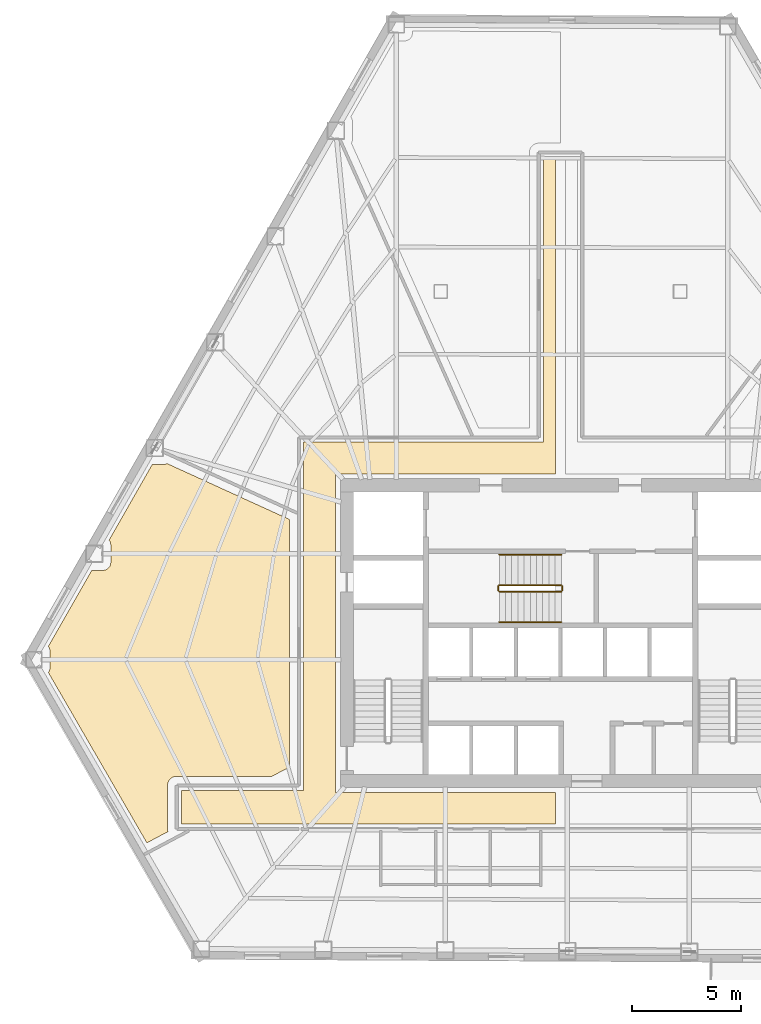
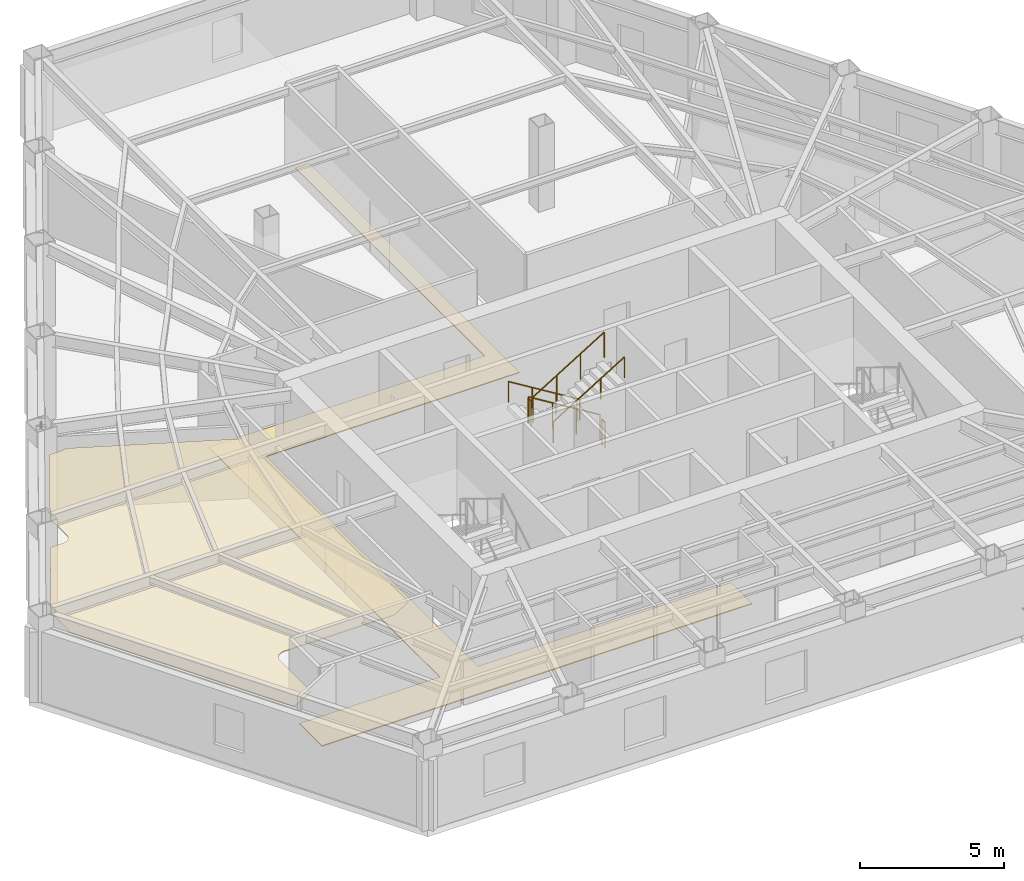
# One storey, part 10 of 12: 6 railings, 2 coverings.
"""IFC4 building model written with IfcOpenShell, lengths in metres."""

from ifc_helpers import new_model, si_unit, direction, frame, origin, origin_2d, place, context, subcontext, project, spatial, polyline, circle, outline, extrude, material, layer, layer_set, type_object, element, save


model = new_model("IFC4")

# Units and contexts
model_context = context("Model", 3, precision=1e-05, world=origin(), true_north=direction((0.0, 1.0)))
body_context = subcontext(model_context, "Body", "Model", "MODEL_VIEW")
ifc_project = project(units=[si_unit("LENGTHUNIT", "METRE"), si_unit("AREAUNIT", "SQUARE_METRE"), si_unit("VOLUMEUNIT", "CUBIC_METRE"), si_unit("PLANEANGLEUNIT", "RADIAN"), si_unit("MASSUNIT", "GRAM", prefix="KILO")], contexts=[model_context])

# Site, building, storey
site_placement = place(None, origin())
site = spatial("IfcSite", under=ifc_project, at=site_placement, CompositionType="ELEMENT")
building_placement = place(site_placement, origin())
building = spatial("IfcBuilding", under=site, at=building_placement, Name="Kavelnor Concourse Tower", CompositionType="ELEMENT")
storey_placement = place(building_placement, frame((0.0, 0.0, 40.64990234375)))
storey = spatial("IfcBuildingStorey", under=building, at=storey_placement, Name="L10", CompositionType="ELEMENT", Elevation=40.64990234375)

# Coverings
ifc_material_1 = material(Name="Mineral fibre acoustic ceiling tile")
ifc_layer_1 = layer(ifc_material_1, 0.0400390625, Name="Mineral fibre acoustic ceiling tile")
ifc_layer_set_1 = layer_set([ifc_layer_1], Name="Mineral fibre acoustic ceiling tile")
covering_type_1 = type_object("IfcCoveringType", Name="COV-CEILING-ACOUSTIC", PredefinedType="CEILING", material=ifc_layer_set_1)
covering_1_placement = place(storey_placement, frame((0.0, 0.0, 2.75)))
element("IfcCovering", 1, at=covering_1_placement, inside=storey, type_object=covering_type_1, Name="L10 Suspended Acoustic Ceiling", PredefinedType="CEILING", context=body_context, shape_type="SweptSolid", body=[
    extrude(outline(polyline([(16.460205078125, 18.989990234375), (16.97998046875, 18.989990234375), (17.007080078125, 18.9912109375), (17.0419921875, 18.99658203125), (17.076416015625, 19.005126953125), (17.109619140625, 19.01708984375), (17.1416015625, 19.031982421875), (17.172119140625, 19.05029296875), (17.200439453125, 19.0712890625), (17.2265625, 19.09521484375), (17.25048828125, 19.121337890625), (17.271484375, 19.14990234375), (17.289794921875, 19.18017578125), (17.3046875, 19.212158203125), (17.316650390625, 19.245361328125), (17.3251953125, 19.27978515625), (17.33056640625, 19.314697265625), (17.331787109375, 19.341796875), (17.331787109375, 20.158203125), (17.33056640625, 20.185302734375), (17.3251953125, 20.22021484375), (17.316650390625, 20.254638671875), (17.3046875, 20.287841796875), (17.289794921875, 20.31982421875), (17.271484375, 20.35009765625), (17.251953125, 20.37646484375), (19.237060546875, 23.8525390625), (19.7568359375, 23.8525390625), (19.783935546875, 23.853759765625), (19.81884765625, 23.85888671875), (19.853271484375, 23.86767578125), (19.886474609375, 23.87939453125), (19.91845703125, 23.89453125), (19.919921875, 23.8955078125), (25.5576171875, 21.322509765625), (25.5576171875, 9.9541015625), (24.74560546875, 9.5224609375), (20.35693359375, 9.5224609375), (20.32373046875, 9.52099609375), (20.28271484375, 9.514892578125), (20.242431640625, 9.504638671875), (20.20361328125, 9.49072265625), (20.166015625, 9.472900390625), (20.13037109375, 9.45166015625), (20.096923828125, 9.427001953125), (20.06640625, 9.39892578125), (20.038330078125, 9.368408203125), (20.013671875, 9.3349609375), (19.9921875, 9.29931640625), (19.974609375, 9.26171875), (19.960693359375, 9.222900390625), (19.950439453125, 9.1826171875), (19.9443359375, 9.1416015625), (19.94287109375, 9.1083984375), (19.94287109375, 7.091796875), (19.9443359375, 7.05859375), (19.950439453125, 7.017578125), (19.96044921875, 6.978271484375), (18.9912109375, 6.462890625), (14.462890625, 14.291748046875), (14.474609375, 14.307373046875), (14.492919921875, 14.337646484375), (14.5078125, 14.36962890625), (14.519775390625, 14.40283203125), (14.5283203125, 14.437255859375), (14.53369140625, 14.47216796875), (14.534912109375, 14.499267578125), (14.534912109375, 15.27587890625), (14.53369140625, 15.302734375), (14.5283203125, 15.337890625), (14.519775390625, 15.3720703125), (14.5078125, 15.405517578125), (14.492919921875, 15.4375), (14.474609375, 15.4677734375), (14.4599609375, 15.4873046875), (16.460205078125, 18.989990234375)])), origin(), (0.0, 0.0, 1.0), 0.0400390625),
])
ifc_material_2 = material(Name="Honed bluestone and raised access floor finish", Category="masonry")
ifc_layer_2 = layer(ifc_material_2, 0.0400390625, Name="Honed bluestone and raised access floor finish")
ifc_layer_set_2 = layer_set([ifc_layer_2], Name="Honed bluestone and raised access floor finish")
covering_type_2 = type_object("IfcCoveringType", Name="COV-FLOOR-STONE", PredefinedType="FLOORING", material=ifc_layer_set_2)
covering_2_placement = place(storey_placement, frame((0.0, 0.0, 0.002197265625)))
element("IfcCovering", 2, at=covering_2_placement, inside=storey, type_object=covering_type_2, Name="L10 Honed Bluestone Floor Finish", PredefinedType="FLOORING", context=body_context, shape_type="SweptSolid", body=[
    extrude(outline(polyline([(37.219970703125, 37.97998046875), (37.77490234375, 37.97998046875), (37.77490234375, 23.419921875), (27.659912109375, 23.419921875), (27.659912109375, 8.780029296875), (37.77490234375, 8.780029296875), (37.77490234375, 7.320068359375), (20.585205078125, 7.320068359375), (20.585205078125, 8.8798828125), (26.199951171875, 8.8798828125), (26.199951171875, 24.8798828125), (37.219970703125, 24.8798828125), (37.219970703125, 37.97998046875)])), origin(), (0.0, 0.0, 1.0), 0.039794921875),
])

# Railings
ifc_material_3 = material(Name="Steel Grade 350", Category="steel")
railing_type_1 = type_object("IfcRailingType", Name="RLG-GUARD-1100", PredefinedType="GUARDRAIL", material=ifc_material_3)
railing_1_placement = place(storey_placement, frame((38.0400390625, 18.31005859375, 0.175048828125)))
element("IfcRailing", 3, at=railing_1_placement, inside=storey, type_object=railing_type_1, Name="L10 ST3 stair guard 1", PredefinedType="GUARDRAIL", context=body_context, shape_type="SweptSolid", body=[
    extrude(circle(Radius=0.02392578125, at=origin_2d()), frame((0.0, 0.0, 1.076171875), z_axis=(-0.852179220489, 0.0, 0.52325001306), x_axis=(0.0, -1.0, 0.0)), (0.0, 0.0, 1.0), 3.344482421875),
    extrude(circle(Radius=0.02099609375, at=origin_2d()), origin(), (0.0, 0.0, 1.0), 1.052001953125),
    extrude(circle(Radius=0.02099609375, at=origin_2d()), frame((-0.949951171875, 0.0, 0.583251953125)), (0.0, 0.0, 1.0), 1.052001953125),
    extrude(circle(Radius=0.02099609375, at=origin_2d()), frame((-1.900146484375, 0.0, 1.166748046875)), (0.0, 0.0, 1.0), 1.052001953125),
    extrude(circle(Radius=0.02099609375, at=origin_2d()), frame((-2.85009765625, 0.0, 1.75)), (0.0, 0.0, 1.0), 1.052001953125),
])
railing_2_placement = place(storey_placement, frame((35.139892578125, 18.260009765625, 1.925048828125)))
element("IfcRailing", 4, at=railing_2_placement, inside=storey, type_object=railing_type_1, Name="L10 ST3 stair guard 2", PredefinedType="GUARDRAIL", context=body_context, shape_type="SweptSolid", body=[
    extrude(circle(Radius=0.02392578125, at=origin_2d()), frame((0.0, 0.0, 1.076171875), z_axis=(0.0, -1.0, 0.0), x_axis=(1.0, 0.0, 0.0)), (0.0, 0.0, 1.0), 0.199951171875),
    extrude(circle(Radius=0.02099609375, at=origin_2d()), origin(), (0.0, 0.0, 1.0), 1.052001953125),
    extrude(circle(Radius=0.02099609375, at=origin_2d()), frame((0.0, -0.199951171875, 0.0)), (0.0, 0.0, 1.0), 1.052001953125),
])
railing_3_placement = place(storey_placement, frame((35.18994140625, 18.010009765625, 2.10009765625)))
element("IfcRailing", 5, at=railing_3_placement, inside=storey, type_object=railing_type_1, Name="L10 ST3 stair guard 3", PredefinedType="GUARDRAIL", context=body_context, shape_type="SweptSolid", body=[
    extrude(circle(Radius=0.02392578125, at=origin_2d()), frame((0.0, 0.0, 1.076171875), z_axis=(0.852179220489, 0.0, 0.52325001306), x_axis=(0.0, 1.0, 0.0)), (0.0, 0.0, 1.0), 3.344482421875),
    extrude(circle(Radius=0.02099609375, at=origin_2d()), origin(), (0.0, 0.0, 1.0), 1.052001953125),
    extrude(circle(Radius=0.02099609375, at=origin_2d()), frame((0.949951171875, 0.0, 0.583251953125)), (0.0, 0.0, 1.0), 1.052001953125),
    extrude(circle(Radius=0.02099609375, at=origin_2d()), frame((1.900146484375, 0.0, 1.166748046875)), (0.0, 0.0, 1.0), 1.052001953125),
    extrude(circle(Radius=0.02099609375, at=origin_2d()), frame((2.85009765625, 0.0, 1.75)), (0.0, 0.0, 1.0), 1.052001953125),
])
railing_4_placement = place(storey_placement, frame((38.090087890625, 18.260009765625, 0.0)))
element("IfcRailing", 6, at=railing_4_placement, inside=storey, type_object=railing_type_1, Name="L10 ST3 stair guard 4", PredefinedType="GUARDRAIL", context=body_context, shape_type="SweptSolid", body=[
    extrude(circle(Radius=0.02392578125, at=origin_2d()), frame((0.0, 0.0, 1.076171875), z_axis=(0.0, -1.0, 0.0), x_axis=(1.0, 0.0, 0.0)), (0.0, 0.0, 1.0), 0.199951171875),
    extrude(circle(Radius=0.02099609375, at=origin_2d()), origin(), (0.0, 0.0, 1.0), 1.052001953125),
    extrude(circle(Radius=0.02099609375, at=origin_2d()), frame((0.0, -0.199951171875, 0.0)), (0.0, 0.0, 1.0), 1.052001953125),
])
railing_type_2 = type_object("IfcRailingType", Name="RLG-HANDRAIL-900", PredefinedType="HANDRAIL", material=ifc_material_3)
railing_5_placement = place(storey_placement, frame((38.0400390625, 19.7099609375, 0.175048828125)))
element("IfcRailing", 7, at=railing_5_placement, inside=storey, type_object=railing_type_2, Name="L10 ST3 stair handrail 1", PredefinedType="HANDRAIL", context=body_context, shape_type="SweptSolid", body=[
    extrude(circle(Radius=0.02392578125, at=origin_2d()), frame((0.0, 0.0, 0.8759765625), z_axis=(-0.852179220489, 0.0, 0.52325001306), x_axis=(0.0, -1.0, 0.0)), (0.0, 0.0, 1.0), 3.344482421875),
    extrude(circle(Radius=0.02099609375, at=origin_2d()), origin(), (0.0, 0.0, 1.0), 0.851806640625),
    extrude(circle(Radius=0.02099609375, at=origin_2d()), frame((-0.949951171875, 0.0, 0.583251953125)), (0.0, 0.0, 1.0), 0.851806640625),
    extrude(circle(Radius=0.02099609375, at=origin_2d()), frame((-1.900146484375, 0.0, 1.166748046875)), (0.0, 0.0, 1.0), 0.851806640625),
    extrude(circle(Radius=0.02099609375, at=origin_2d()), frame((-2.85009765625, 0.0, 1.75)), (0.0, 0.0, 1.0), 0.851806640625),
])
railing_6_placement = place(storey_placement, frame((35.18994140625, 16.610107421875, 2.10009765625)))
element("IfcRailing", 8, at=railing_6_placement, inside=storey, type_object=railing_type_2, Name="L10 ST3 stair handrail 2", PredefinedType="HANDRAIL", context=body_context, shape_type="SweptSolid", body=[
    extrude(circle(Radius=0.02392578125, at=origin_2d()), frame((0.0, 0.0, 0.8759765625), z_axis=(0.852179220489, 0.0, 0.52325001306), x_axis=(0.0, 1.0, 0.0)), (0.0, 0.0, 1.0), 3.344482421875),
    extrude(circle(Radius=0.02099609375, at=origin_2d()), origin(), (0.0, 0.0, 1.0), 0.851806640625),
    extrude(circle(Radius=0.02099609375, at=origin_2d()), frame((0.949951171875, 0.0, 0.583251953125)), (0.0, 0.0, 1.0), 0.851806640625),
    extrude(circle(Radius=0.02099609375, at=origin_2d()), frame((1.900146484375, 0.0, 1.166748046875)), (0.0, 0.0, 1.0), 0.851806640625),
    extrude(circle(Radius=0.02099609375, at=origin_2d()), frame((2.85009765625, 0.0, 1.75)), (0.0, 0.0, 1.0), 0.851806640625),
])

save(model, "model.ifc")
